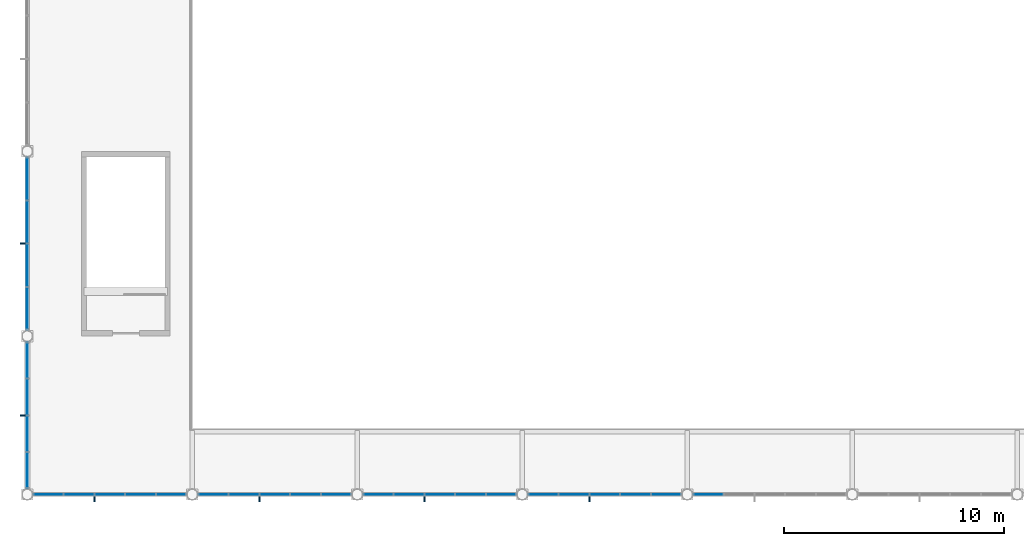
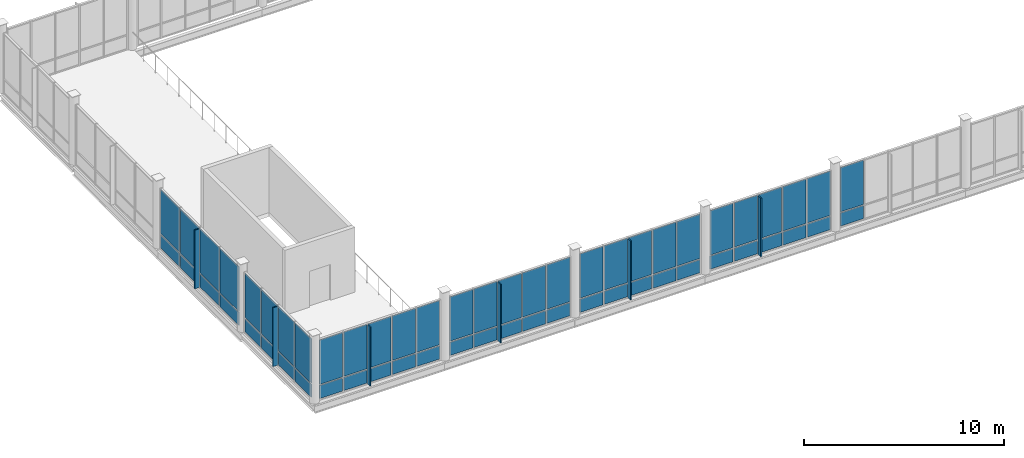
# One storey, part 39 of 75: 64 plates, 7 elements without a shape of their own.
"""IFC4 building model written with IfcOpenShell, lengths in metres."""

from ifc_helpers import new_model, si_unit, direction, frame, origin, origin_2d, place, context, subcontext, project, spatial, rectangle, extrude, material, layer, layer_set, type_object, element, aggregate, save


model = new_model("IFC4")

# Units and contexts
model_context = context("Model", 3, precision=1e-05, world=origin(), true_north=direction((0.0, 1.0)))
body_context = subcontext(model_context, "Body", "Model", "MODEL_VIEW")
ifc_project = project(units=[si_unit("LENGTHUNIT", "METRE"), si_unit("AREAUNIT", "SQUARE_METRE"), si_unit("VOLUMEUNIT", "CUBIC_METRE"), si_unit("PLANEANGLEUNIT", "RADIAN"), si_unit("MASSUNIT", "GRAM", prefix="KILO")], contexts=[model_context])

# Site, building, storey
site_placement = place(None, origin())
site = spatial("IfcSite", under=ifc_project, at=site_placement, CompositionType="ELEMENT")
building_placement = place(site_placement, origin())
building = spatial("IfcBuilding", under=site, at=building_placement, Name="Yukiwa Park Conservatory and Herbarium", CompositionType="ELEMENT")
storey_placement = place(building_placement, frame((0.0, 0.0, 4.800048828125)))
storey = spatial("IfcBuildingStorey", under=building, at=storey_placement, Name="L01", CompositionType="ELEMENT", Elevation=4.800048828125)

# Curtain wall, plates
ifc_material_1 = material(Name="Triple Low-E Insulated Glass", Category="glass")
ifc_layer_1 = layer(ifc_material_1, 0.152099609375)
ifc_layer_set_1 = layer_set([ifc_layer_1], Name="Triple Low-E Insulated Glass")
curtain_wall_type_1 = type_object("IfcCurtainWallType", Name="CW-CONSERVATORY-1500", PredefinedType="NOTDEFINED", material=ifc_layer_set_1)
curtain_wall_1_placement = place(storey_placement, origin())
curtain_wall_1 = element("IfcCurtainWall", 1, at=curtain_wall_1_placement, inside=storey, type_object=curtain_wall_type_1, Name="L01 unitised curtain wall CW-L01-026", PredefinedType="NOTDEFINED")
ifc_material_2 = material(Name="Triple Low-E Insulated Glass", Category="glass")
ifc_layer_2 = layer(ifc_material_2, 0.035888671875)
ifc_layer_set_2 = layer_set([ifc_layer_2], Name="Triple Low-E Insulated Glass")
plate_type_1 = type_object("IfcPlateType", Name="PL-CW-GLZ-36", PredefinedType="CURTAIN_PANEL", material=ifc_layer_set_2)
plate_1_placement = place(storey_placement, frame((0.953125, 0.0, 0.93505859375), z_axis=(0.0, 0.0, 1.0), x_axis=(1.0, 0.0, 0.0)))
plate_1 = element("IfcPlate", 2, at=plate_1_placement, type_object=plate_type_1, Name="CW-L01-026 vision panel 1.2", PredefinedType="CURTAIN_PANEL", context=body_context, shape_type="SweptSolid", body=[
    extrude(rectangle(XDim=1.328369140625, YDim=0.035888671875, at=origin_2d()), origin(), (0.0, 0.0, 1.0), 2.695068359375),
])
plate_2_placement = place(storey_placement, frame((2.3515625, 0.0, 0.93505859375), z_axis=(0.0, 0.0, 1.0), x_axis=(1.0, 0.0, 0.0)))
plate_2 = element("IfcPlate", 3, at=plate_2_placement, type_object=plate_type_1, Name="CW-L01-026 vision panel 2.2", PredefinedType="CURTAIN_PANEL", context=body_context, shape_type="SweptSolid", body=[
    extrude(rectangle(XDim=1.328369140625, YDim=0.035888671875, at=origin_2d()), origin(), (0.0, 0.0, 1.0), 2.695068359375),
])
plate_3_placement = place(storey_placement, frame((3.75, 0.0, 0.93505859375), z_axis=(0.0, 0.0, 1.0), x_axis=(1.0, 0.0, 0.0)))
plate_3 = element("IfcPlate", 4, at=plate_3_placement, type_object=plate_type_1, Name="CW-L01-026 vision panel 3.2", PredefinedType="CURTAIN_PANEL", context=body_context, shape_type="SweptSolid", body=[
    extrude(rectangle(XDim=1.328369140625, YDim=0.035888671875, at=origin_2d()), origin(), (0.0, 0.0, 1.0), 2.695068359375),
])
plate_4_placement = place(storey_placement, frame((5.1484375, 0.0, 0.93505859375), z_axis=(0.0, 0.0, 1.0), x_axis=(1.0, 0.0, 0.0)))
plate_4 = element("IfcPlate", 5, at=plate_4_placement, type_object=plate_type_1, Name="CW-L01-026 vision panel 4.2", PredefinedType="CURTAIN_PANEL", context=body_context, shape_type="SweptSolid", body=[
    extrude(rectangle(XDim=1.328369140625, YDim=0.035888671875, at=origin_2d()), origin(), (0.0, 0.0, 1.0), 2.695068359375),
])
plate_5_placement = place(storey_placement, frame((6.546875, 0.0, 0.93505859375), z_axis=(0.0, 0.0, 1.0), x_axis=(1.0, 0.0, 0.0)))
plate_5 = element("IfcPlate", 6, at=plate_5_placement, type_object=plate_type_1, Name="CW-L01-026 vision panel 5.2", PredefinedType="CURTAIN_PANEL", context=body_context, shape_type="SweptSolid", body=[
    extrude(rectangle(XDim=1.328369140625, YDim=0.035888671875, at=origin_2d()), origin(), (0.0, 0.0, 1.0), 2.695068359375),
])

curtain_wall_2_placement = place(storey_placement, origin())
curtain_wall_2 = element("IfcCurtainWall", 7, at=curtain_wall_2_placement, inside=storey, type_object=curtain_wall_type_1, Name="L01 unitised curtain wall CW-L01-027", PredefinedType="NOTDEFINED")
plate_6_placement = place(storey_placement, frame((8.453125, 0.0, 0.93505859375), z_axis=(0.0, 0.0, 1.0), x_axis=(1.0, 0.0, 0.0)))
plate_6 = element("IfcPlate", 8, at=plate_6_placement, type_object=plate_type_1, Name="CW-L01-027 vision panel 1.2", PredefinedType="CURTAIN_PANEL", context=body_context, shape_type="SweptSolid", body=[
    extrude(rectangle(XDim=1.328369140625, YDim=0.035888671875, at=origin_2d()), origin(), (0.0, 0.0, 1.0), 2.695068359375),
])
plate_7_placement = place(storey_placement, frame((9.8515625, 0.0, 0.93505859375), z_axis=(0.0, 0.0, 1.0), x_axis=(1.0, 0.0, 0.0)))
plate_7 = element("IfcPlate", 9, at=plate_7_placement, type_object=plate_type_1, Name="CW-L01-027 vision panel 2.2", PredefinedType="CURTAIN_PANEL", context=body_context, shape_type="SweptSolid", body=[
    extrude(rectangle(XDim=1.328369140625, YDim=0.035888671875, at=origin_2d()), origin(), (0.0, 0.0, 1.0), 2.695068359375),
])
plate_8_placement = place(storey_placement, frame((11.25, 0.0, 0.93505859375), z_axis=(0.0, 0.0, 1.0), x_axis=(1.0, 0.0, 0.0)))
plate_8 = element("IfcPlate", 10, at=plate_8_placement, type_object=plate_type_1, Name="CW-L01-027 vision panel 3.2", PredefinedType="CURTAIN_PANEL", context=body_context, shape_type="SweptSolid", body=[
    extrude(rectangle(XDim=1.328369140625, YDim=0.035888671875, at=origin_2d()), origin(), (0.0, 0.0, 1.0), 2.695068359375),
])
plate_9_placement = place(storey_placement, frame((12.6484375, 0.0, 0.93505859375), z_axis=(0.0, 0.0, 1.0), x_axis=(1.0, 0.0, 0.0)))
plate_9 = element("IfcPlate", 11, at=plate_9_placement, type_object=plate_type_1, Name="CW-L01-027 vision panel 4.2", PredefinedType="CURTAIN_PANEL", context=body_context, shape_type="SweptSolid", body=[
    extrude(rectangle(XDim=1.328369140625, YDim=0.035888671875, at=origin_2d()), origin(), (0.0, 0.0, 1.0), 2.695068359375),
])
plate_10_placement = place(storey_placement, frame((14.046875, 0.0, 0.93505859375), z_axis=(0.0, 0.0, 1.0), x_axis=(1.0, 0.0, 0.0)))
plate_10 = element("IfcPlate", 12, at=plate_10_placement, type_object=plate_type_1, Name="CW-L01-027 vision panel 5.2", PredefinedType="CURTAIN_PANEL", context=body_context, shape_type="SweptSolid", body=[
    extrude(rectangle(XDim=1.328369140625, YDim=0.035888671875, at=origin_2d()), origin(), (0.0, 0.0, 1.0), 2.695068359375),
])

curtain_wall_3_placement = place(storey_placement, origin())
curtain_wall_3 = element("IfcCurtainWall", 13, at=curtain_wall_3_placement, inside=storey, type_object=curtain_wall_type_1, Name="L01 unitised curtain wall CW-L01-028", PredefinedType="NOTDEFINED")
plate_11_placement = place(storey_placement, frame((15.953125, 0.0, 0.93505859375), z_axis=(0.0, 0.0, 1.0), x_axis=(1.0, 0.0, 0.0)))
plate_11 = element("IfcPlate", 14, at=plate_11_placement, type_object=plate_type_1, Name="CW-L01-028 vision panel 1.2", PredefinedType="CURTAIN_PANEL", context=body_context, shape_type="SweptSolid", body=[
    extrude(rectangle(XDim=1.328369140625, YDim=0.035888671875, at=origin_2d()), origin(), (0.0, 0.0, 1.0), 2.695068359375),
])
plate_12_placement = place(storey_placement, frame((17.3515625, 0.0, 0.93505859375), z_axis=(0.0, 0.0, 1.0), x_axis=(1.0, 0.0, 0.0)))
plate_12 = element("IfcPlate", 15, at=plate_12_placement, type_object=plate_type_1, Name="CW-L01-028 vision panel 2.2", PredefinedType="CURTAIN_PANEL", context=body_context, shape_type="SweptSolid", body=[
    extrude(rectangle(XDim=1.328369140625, YDim=0.035888671875, at=origin_2d()), origin(), (0.0, 0.0, 1.0), 2.695068359375),
])
plate_13_placement = place(storey_placement, frame((18.75, 0.0, 0.93505859375), z_axis=(0.0, 0.0, 1.0), x_axis=(1.0, 0.0, 0.0)))
plate_13 = element("IfcPlate", 16, at=plate_13_placement, type_object=plate_type_1, Name="CW-L01-028 vision panel 3.2", PredefinedType="CURTAIN_PANEL", context=body_context, shape_type="SweptSolid", body=[
    extrude(rectangle(XDim=1.328369140625, YDim=0.035888671875, at=origin_2d()), origin(), (0.0, 0.0, 1.0), 2.695068359375),
])
plate_14_placement = place(storey_placement, frame((20.1484375, 0.0, 0.93505859375), z_axis=(0.0, 0.0, 1.0), x_axis=(1.0, 0.0, 0.0)))
plate_14 = element("IfcPlate", 17, at=plate_14_placement, type_object=plate_type_1, Name="CW-L01-028 vision panel 4.2", PredefinedType="CURTAIN_PANEL", context=body_context, shape_type="SweptSolid", body=[
    extrude(rectangle(XDim=1.328369140625, YDim=0.035888671875, at=origin_2d()), origin(), (0.0, 0.0, 1.0), 2.695068359375),
])
plate_15_placement = place(storey_placement, frame((21.546875, 0.0, 0.93505859375), z_axis=(0.0, 0.0, 1.0), x_axis=(1.0, 0.0, 0.0)))
plate_15 = element("IfcPlate", 18, at=plate_15_placement, type_object=plate_type_1, Name="CW-L01-028 vision panel 5.2", PredefinedType="CURTAIN_PANEL", context=body_context, shape_type="SweptSolid", body=[
    extrude(rectangle(XDim=1.328369140625, YDim=0.035888671875, at=origin_2d()), origin(), (0.0, 0.0, 1.0), 2.695068359375),
])

curtain_wall_4_placement = place(storey_placement, origin())
curtain_wall_4 = element("IfcCurtainWall", 19, at=curtain_wall_4_placement, inside=storey, type_object=curtain_wall_type_1, Name="L01 unitised curtain wall CW-L01-029", PredefinedType="NOTDEFINED")
plate_16_placement = place(storey_placement, frame((23.453125, 0.0, 0.93505859375), z_axis=(0.0, 0.0, 1.0), x_axis=(1.0, 0.0, 0.0)))
plate_16 = element("IfcPlate", 20, at=plate_16_placement, type_object=plate_type_1, Name="CW-L01-029 vision panel 1.2", PredefinedType="CURTAIN_PANEL", context=body_context, shape_type="SweptSolid", body=[
    extrude(rectangle(XDim=1.328369140625, YDim=0.035888671875, at=origin_2d()), origin(), (0.0, 0.0, 1.0), 2.695068359375),
])
plate_17_placement = place(storey_placement, frame((24.8515625, 0.0, 0.93505859375), z_axis=(0.0, 0.0, 1.0), x_axis=(1.0, 0.0, 0.0)))
plate_17 = element("IfcPlate", 21, at=plate_17_placement, type_object=plate_type_1, Name="CW-L01-029 vision panel 2.2", PredefinedType="CURTAIN_PANEL", context=body_context, shape_type="SweptSolid", body=[
    extrude(rectangle(XDim=1.328369140625, YDim=0.035888671875, at=origin_2d()), origin(), (0.0, 0.0, 1.0), 2.695068359375),
])
plate_18_placement = place(storey_placement, frame((26.25, 0.0, 0.93505859375), z_axis=(0.0, 0.0, 1.0), x_axis=(1.0, 0.0, 0.0)))
plate_18 = element("IfcPlate", 22, at=plate_18_placement, type_object=plate_type_1, Name="CW-L01-029 vision panel 3.2", PredefinedType="CURTAIN_PANEL", context=body_context, shape_type="SweptSolid", body=[
    extrude(rectangle(XDim=1.328369140625, YDim=0.035888671875, at=origin_2d()), origin(), (0.0, 0.0, 1.0), 2.695068359375),
])
plate_19_placement = place(storey_placement, frame((27.6484375, 0.0, 0.93505859375), z_axis=(0.0, 0.0, 1.0), x_axis=(1.0, 0.0, 0.0)))
plate_19 = element("IfcPlate", 23, at=plate_19_placement, type_object=plate_type_1, Name="CW-L01-029 vision panel 4.2", PredefinedType="CURTAIN_PANEL", context=body_context, shape_type="SweptSolid", body=[
    extrude(rectangle(XDim=1.328369140625, YDim=0.035888671875, at=origin_2d()), origin(), (0.0, 0.0, 1.0), 2.695068359375),
])
plate_20_placement = place(storey_placement, frame((29.046875, 0.0, 0.93505859375), z_axis=(0.0, 0.0, 1.0), x_axis=(1.0, 0.0, 0.0)))
plate_20 = element("IfcPlate", 24, at=plate_20_placement, type_object=plate_type_1, Name="CW-L01-029 vision panel 5.2", PredefinedType="CURTAIN_PANEL", context=body_context, shape_type="SweptSolid", body=[
    extrude(rectangle(XDim=1.328369140625, YDim=0.035888671875, at=origin_2d()), origin(), (0.0, 0.0, 1.0), 2.695068359375),
])

# Curtain wall, plate
curtain_wall_5_placement = place(storey_placement, origin())
curtain_wall_5 = element("IfcCurtainWall", 25, at=curtain_wall_5_placement, inside=storey, type_object=curtain_wall_type_1, Name="L01 unitised curtain wall CW-L01-030", PredefinedType="NOTDEFINED")
plate_21_placement = place(storey_placement, frame((30.953125, 0.0, 0.93505859375), z_axis=(0.0, 0.0, 1.0), x_axis=(1.0, 0.0, 0.0)))
plate_21 = element("IfcPlate", 26, at=plate_21_placement, type_object=plate_type_1, Name="CW-L01-030 vision panel 1.2", PredefinedType="CURTAIN_PANEL", context=body_context, shape_type="SweptSolid", body=[
    extrude(rectangle(XDim=1.328369140625, YDim=0.035888671875, at=origin_2d()), origin(), (0.0, 0.0, 1.0), 2.695068359375),
])

# Curtain wall, plates
ifc_material_3 = material(Name="Triple Low-E Insulated Glass", Category="glass")
ifc_layer_3 = layer(ifc_material_3, 0.1640625)
ifc_layer_set_3 = layer_set([ifc_layer_3], Name="Triple Low-E Insulated Glass")
curtain_wall_type_2 = type_object("IfcCurtainWallType", Name="CW-CONSERVATORY-1875", PredefinedType="NOTDEFINED", material=ifc_layer_set_3)
curtain_wall_6_placement = place(storey_placement, origin())
curtain_wall_6 = element("IfcCurtainWall", 27, at=curtain_wall_6_placement, inside=storey, type_object=curtain_wall_type_2, Name="L01 unitised curtain wall CW-L01-060", PredefinedType="NOTDEFINED")
plate_22_placement = place(storey_placement, frame((0.0, 14.359619140625, 0.93505859375), z_axis=(0.0, 0.0, 1.0), x_axis=(0.0, -1.0, 0.0)))
plate_22 = element("IfcPlate", 28, at=plate_22_placement, type_object=plate_type_1, Name="CW-L01-060 vision panel 1.2", PredefinedType="CURTAIN_PANEL", context=body_context, shape_type="SweptSolid", body=[
    extrude(rectangle(XDim=1.903076171875, YDim=0.035888671875, at=origin_2d()), origin(), (0.0, 0.0, 1.0), 2.695068359375),
])
plate_23_placement = place(storey_placement, frame((0.0, 12.386474609375, 0.93505859375), z_axis=(0.0, 0.0, 1.0), x_axis=(0.0, -1.0, 0.0)))
plate_23 = element("IfcPlate", 29, at=plate_23_placement, type_object=plate_type_1, Name="CW-L01-060 vision panel 2.2", PredefinedType="CURTAIN_PANEL", context=body_context, shape_type="SweptSolid", body=[
    extrude(rectangle(XDim=1.903076171875, YDim=0.035888671875, at=origin_2d()), origin(), (0.0, 0.0, 1.0), 2.695068359375),
])
plate_24_placement = place(storey_placement, frame((0.0, 10.41357421875, 0.93505859375), z_axis=(0.0, 0.0, 1.0), x_axis=(0.0, -1.0, 0.0)))
plate_24 = element("IfcPlate", 30, at=plate_24_placement, type_object=plate_type_1, Name="CW-L01-060 vision panel 3.2", PredefinedType="CURTAIN_PANEL", context=body_context, shape_type="SweptSolid", body=[
    extrude(rectangle(XDim=1.903076171875, YDim=0.035888671875, at=origin_2d()), origin(), (0.0, 0.0, 1.0), 2.695068359375),
])
plate_25_placement = place(storey_placement, frame((0.0, 8.4404296875, 0.93505859375), z_axis=(0.0, 0.0, 1.0), x_axis=(0.0, -1.0, 0.0)))
plate_25 = element("IfcPlate", 31, at=plate_25_placement, type_object=plate_type_1, Name="CW-L01-060 vision panel 4.2", PredefinedType="CURTAIN_PANEL", context=body_context, shape_type="SweptSolid", body=[
    extrude(rectangle(XDim=1.903076171875, YDim=0.035888671875, at=origin_2d()), origin(), (0.0, 0.0, 1.0), 2.695068359375),
])

curtain_wall_7_placement = place(storey_placement, origin())
curtain_wall_7 = element("IfcCurtainWall", 32, at=curtain_wall_7_placement, inside=storey, type_object=curtain_wall_type_2, Name="L01 unitised curtain wall CW-L01-061", PredefinedType="NOTDEFINED")
plate_26_placement = place(storey_placement, frame((0.0, 6.109619140625, 0.93505859375), z_axis=(0.0, 0.0, 1.0), x_axis=(0.0, -1.0, 0.0)))
plate_26 = element("IfcPlate", 33, at=plate_26_placement, type_object=plate_type_1, Name="CW-L01-061 vision panel 1.2", PredefinedType="CURTAIN_PANEL", context=body_context, shape_type="SweptSolid", body=[
    extrude(rectangle(XDim=1.60302734375, YDim=0.035888671875, at=origin_2d()), origin(), (0.0, 0.0, 1.0), 2.695068359375),
])
plate_27_placement = place(storey_placement, frame((0.0, 4.4365234375, 0.93505859375), z_axis=(0.0, 0.0, 1.0), x_axis=(0.0, -1.0, 0.0)))
plate_27 = element("IfcPlate", 34, at=plate_27_placement, type_object=plate_type_1, Name="CW-L01-061 vision panel 2.2", PredefinedType="CURTAIN_PANEL", context=body_context, shape_type="SweptSolid", body=[
    extrude(rectangle(XDim=1.60302734375, YDim=0.035888671875, at=origin_2d()), origin(), (0.0, 0.0, 1.0), 2.695068359375),
])
plate_28_placement = place(storey_placement, frame((0.0, 2.763427734375, 0.93505859375), z_axis=(0.0, 0.0, 1.0), x_axis=(0.0, -1.0, 0.0)))
plate_28 = element("IfcPlate", 35, at=plate_28_placement, type_object=plate_type_1, Name="CW-L01-061 vision panel 3.2", PredefinedType="CURTAIN_PANEL", context=body_context, shape_type="SweptSolid", body=[
    extrude(rectangle(XDim=1.60302734375, YDim=0.035888671875, at=origin_2d()), origin(), (0.0, 0.0, 1.0), 2.695068359375),
])
plate_29_placement = place(storey_placement, frame((0.0, 1.090576171875, 0.93505859375), z_axis=(0.0, 0.0, 1.0), x_axis=(0.0, -1.0, 0.0)))
plate_29 = element("IfcPlate", 36, at=plate_29_placement, type_object=plate_type_1, Name="CW-L01-061 vision panel 4.2", PredefinedType="CURTAIN_PANEL", context=body_context, shape_type="SweptSolid", body=[
    extrude(rectangle(XDim=1.60302734375, YDim=0.035888671875, at=origin_2d()), origin(), (0.0, 0.0, 1.0), 2.695068359375),
])

# Plate
ifc_material_4 = material(Name="Anodised Aluminium", Category="aluminium")
ifc_layer_4 = layer(ifc_material_4, 0.044921875)
ifc_layer_set_4 = layer_set([ifc_layer_4], Name="Anodised Aluminium")
plate_type_2 = type_object("IfcPlateType", Name="PL-CW-SPN-45", PredefinedType="CURTAIN_PANEL", material=ifc_layer_set_4)
plate_30_placement = place(storey_placement, frame((0.953125, 0.0, 0.070068359375), z_axis=(0.0, 0.0, 1.0), x_axis=(1.0, 0.0, 0.0)))
plate_30 = element("IfcPlate", 37, at=plate_30_placement, type_object=plate_type_2, Name="CW-L01-026 spandrel panel 1.1", PredefinedType="CURTAIN_PANEL", context=body_context, shape_type="SweptSolid", body=[
    extrude(rectangle(XDim=1.328369140625, YDim=0.044921875, at=origin_2d()), origin(), (0.0, 0.0, 1.0), 0.794921875),
])

plate_31_placement = place(storey_placement, frame((2.3515625, 0.0, 0.070068359375), z_axis=(0.0, 0.0, 1.0), x_axis=(1.0, 0.0, 0.0)))
plate_31 = element("IfcPlate", 38, at=plate_31_placement, type_object=plate_type_2, Name="CW-L01-026 spandrel panel 2.1", PredefinedType="CURTAIN_PANEL", context=body_context, shape_type="SweptSolid", body=[
    extrude(rectangle(XDim=1.328369140625, YDim=0.044921875, at=origin_2d()), origin(), (0.0, 0.0, 1.0), 0.794921875),
])

plate_32_placement = place(storey_placement, frame((3.75, 0.0, 0.070068359375), z_axis=(0.0, 0.0, 1.0), x_axis=(1.0, 0.0, 0.0)))
plate_32 = element("IfcPlate", 39, at=plate_32_placement, type_object=plate_type_2, Name="CW-L01-026 spandrel panel 3.1", PredefinedType="CURTAIN_PANEL", context=body_context, shape_type="SweptSolid", body=[
    extrude(rectangle(XDim=1.328369140625, YDim=0.044921875, at=origin_2d()), origin(), (0.0, 0.0, 1.0), 0.794921875),
])

plate_33_placement = place(storey_placement, frame((5.1484375, 0.0, 0.070068359375), z_axis=(0.0, 0.0, 1.0), x_axis=(1.0, 0.0, 0.0)))
plate_33 = element("IfcPlate", 40, at=plate_33_placement, type_object=plate_type_2, Name="CW-L01-026 spandrel panel 4.1", PredefinedType="CURTAIN_PANEL", context=body_context, shape_type="SweptSolid", body=[
    extrude(rectangle(XDim=1.328369140625, YDim=0.044921875, at=origin_2d()), origin(), (0.0, 0.0, 1.0), 0.794921875),
])

plate_34_placement = place(storey_placement, frame((6.546875, 0.0, 0.070068359375), z_axis=(0.0, 0.0, 1.0), x_axis=(1.0, 0.0, 0.0)))
plate_34 = element("IfcPlate", 41, at=plate_34_placement, type_object=plate_type_2, Name="CW-L01-026 spandrel panel 5.1", PredefinedType="CURTAIN_PANEL", context=body_context, shape_type="SweptSolid", body=[
    extrude(rectangle(XDim=1.328369140625, YDim=0.044921875, at=origin_2d()), origin(), (0.0, 0.0, 1.0), 0.794921875),
])

aggregate(curtain_wall_1, [plate_30, plate_1, plate_31, plate_2, plate_32, plate_3, plate_33, plate_4, plate_34, plate_5])

plate_35_placement = place(storey_placement, frame((8.453125, 0.0, 0.070068359375), z_axis=(0.0, 0.0, 1.0), x_axis=(1.0, 0.0, 0.0)))
plate_35 = element("IfcPlate", 42, at=plate_35_placement, type_object=plate_type_2, Name="CW-L01-027 spandrel panel 1.1", PredefinedType="CURTAIN_PANEL", context=body_context, shape_type="SweptSolid", body=[
    extrude(rectangle(XDim=1.328369140625, YDim=0.044921875, at=origin_2d()), origin(), (0.0, 0.0, 1.0), 0.794921875),
])

plate_36_placement = place(storey_placement, frame((9.8515625, 0.0, 0.070068359375), z_axis=(0.0, 0.0, 1.0), x_axis=(1.0, 0.0, 0.0)))
plate_36 = element("IfcPlate", 43, at=plate_36_placement, type_object=plate_type_2, Name="CW-L01-027 spandrel panel 2.1", PredefinedType="CURTAIN_PANEL", context=body_context, shape_type="SweptSolid", body=[
    extrude(rectangle(XDim=1.328369140625, YDim=0.044921875, at=origin_2d()), origin(), (0.0, 0.0, 1.0), 0.794921875),
])

plate_37_placement = place(storey_placement, frame((11.25, 0.0, 0.070068359375), z_axis=(0.0, 0.0, 1.0), x_axis=(1.0, 0.0, 0.0)))
plate_37 = element("IfcPlate", 44, at=plate_37_placement, type_object=plate_type_2, Name="CW-L01-027 spandrel panel 3.1", PredefinedType="CURTAIN_PANEL", context=body_context, shape_type="SweptSolid", body=[
    extrude(rectangle(XDim=1.328369140625, YDim=0.044921875, at=origin_2d()), origin(), (0.0, 0.0, 1.0), 0.794921875),
])

plate_38_placement = place(storey_placement, frame((12.6484375, 0.0, 0.070068359375), z_axis=(0.0, 0.0, 1.0), x_axis=(1.0, 0.0, 0.0)))
plate_38 = element("IfcPlate", 45, at=plate_38_placement, type_object=plate_type_2, Name="CW-L01-027 spandrel panel 4.1", PredefinedType="CURTAIN_PANEL", context=body_context, shape_type="SweptSolid", body=[
    extrude(rectangle(XDim=1.328369140625, YDim=0.044921875, at=origin_2d()), origin(), (0.0, 0.0, 1.0), 0.794921875),
])

plate_39_placement = place(storey_placement, frame((14.046875, 0.0, 0.070068359375), z_axis=(0.0, 0.0, 1.0), x_axis=(1.0, 0.0, 0.0)))
plate_39 = element("IfcPlate", 46, at=plate_39_placement, type_object=plate_type_2, Name="CW-L01-027 spandrel panel 5.1", PredefinedType="CURTAIN_PANEL", context=body_context, shape_type="SweptSolid", body=[
    extrude(rectangle(XDim=1.328369140625, YDim=0.044921875, at=origin_2d()), origin(), (0.0, 0.0, 1.0), 0.794921875),
])

aggregate(curtain_wall_2, [plate_35, plate_6, plate_36, plate_7, plate_37, plate_8, plate_38, plate_9, plate_39, plate_10])

plate_40_placement = place(storey_placement, frame((15.953125, 0.0, 0.070068359375), z_axis=(0.0, 0.0, 1.0), x_axis=(1.0, 0.0, 0.0)))
plate_40 = element("IfcPlate", 47, at=plate_40_placement, type_object=plate_type_2, Name="CW-L01-028 spandrel panel 1.1", PredefinedType="CURTAIN_PANEL", context=body_context, shape_type="SweptSolid", body=[
    extrude(rectangle(XDim=1.328369140625, YDim=0.044921875, at=origin_2d()), origin(), (0.0, 0.0, 1.0), 0.794921875),
])

plate_41_placement = place(storey_placement, frame((17.3515625, 0.0, 0.070068359375), z_axis=(0.0, 0.0, 1.0), x_axis=(1.0, 0.0, 0.0)))
plate_41 = element("IfcPlate", 48, at=plate_41_placement, type_object=plate_type_2, Name="CW-L01-028 spandrel panel 2.1", PredefinedType="CURTAIN_PANEL", context=body_context, shape_type="SweptSolid", body=[
    extrude(rectangle(XDim=1.328369140625, YDim=0.044921875, at=origin_2d()), origin(), (0.0, 0.0, 1.0), 0.794921875),
])

plate_42_placement = place(storey_placement, frame((18.75, 0.0, 0.070068359375), z_axis=(0.0, 0.0, 1.0), x_axis=(1.0, 0.0, 0.0)))
plate_42 = element("IfcPlate", 49, at=plate_42_placement, type_object=plate_type_2, Name="CW-L01-028 spandrel panel 3.1", PredefinedType="CURTAIN_PANEL", context=body_context, shape_type="SweptSolid", body=[
    extrude(rectangle(XDim=1.328369140625, YDim=0.044921875, at=origin_2d()), origin(), (0.0, 0.0, 1.0), 0.794921875),
])

plate_43_placement = place(storey_placement, frame((20.1484375, 0.0, 0.070068359375), z_axis=(0.0, 0.0, 1.0), x_axis=(1.0, 0.0, 0.0)))
plate_43 = element("IfcPlate", 50, at=plate_43_placement, type_object=plate_type_2, Name="CW-L01-028 spandrel panel 4.1", PredefinedType="CURTAIN_PANEL", context=body_context, shape_type="SweptSolid", body=[
    extrude(rectangle(XDim=1.328369140625, YDim=0.044921875, at=origin_2d()), origin(), (0.0, 0.0, 1.0), 0.794921875),
])

plate_44_placement = place(storey_placement, frame((21.546875, 0.0, 0.070068359375), z_axis=(0.0, 0.0, 1.0), x_axis=(1.0, 0.0, 0.0)))
plate_44 = element("IfcPlate", 51, at=plate_44_placement, type_object=plate_type_2, Name="CW-L01-028 spandrel panel 5.1", PredefinedType="CURTAIN_PANEL", context=body_context, shape_type="SweptSolid", body=[
    extrude(rectangle(XDim=1.328369140625, YDim=0.044921875, at=origin_2d()), origin(), (0.0, 0.0, 1.0), 0.794921875),
])

aggregate(curtain_wall_3, [plate_40, plate_11, plate_41, plate_12, plate_42, plate_13, plate_43, plate_14, plate_44, plate_15])

plate_45_placement = place(storey_placement, frame((23.453125, 0.0, 0.070068359375), z_axis=(0.0, 0.0, 1.0), x_axis=(1.0, 0.0, 0.0)))
plate_45 = element("IfcPlate", 52, at=plate_45_placement, type_object=plate_type_2, Name="CW-L01-029 spandrel panel 1.1", PredefinedType="CURTAIN_PANEL", context=body_context, shape_type="SweptSolid", body=[
    extrude(rectangle(XDim=1.328369140625, YDim=0.044921875, at=origin_2d()), origin(), (0.0, 0.0, 1.0), 0.794921875),
])

plate_46_placement = place(storey_placement, frame((24.8515625, 0.0, 0.070068359375), z_axis=(0.0, 0.0, 1.0), x_axis=(1.0, 0.0, 0.0)))
plate_46 = element("IfcPlate", 53, at=plate_46_placement, type_object=plate_type_2, Name="CW-L01-029 spandrel panel 2.1", PredefinedType="CURTAIN_PANEL", context=body_context, shape_type="SweptSolid", body=[
    extrude(rectangle(XDim=1.328369140625, YDim=0.044921875, at=origin_2d()), origin(), (0.0, 0.0, 1.0), 0.794921875),
])

plate_47_placement = place(storey_placement, frame((26.25, 0.0, 0.070068359375), z_axis=(0.0, 0.0, 1.0), x_axis=(1.0, 0.0, 0.0)))
plate_47 = element("IfcPlate", 54, at=plate_47_placement, type_object=plate_type_2, Name="CW-L01-029 spandrel panel 3.1", PredefinedType="CURTAIN_PANEL", context=body_context, shape_type="SweptSolid", body=[
    extrude(rectangle(XDim=1.328369140625, YDim=0.044921875, at=origin_2d()), origin(), (0.0, 0.0, 1.0), 0.794921875),
])

plate_48_placement = place(storey_placement, frame((27.6484375, 0.0, 0.070068359375), z_axis=(0.0, 0.0, 1.0), x_axis=(1.0, 0.0, 0.0)))
plate_48 = element("IfcPlate", 55, at=plate_48_placement, type_object=plate_type_2, Name="CW-L01-029 spandrel panel 4.1", PredefinedType="CURTAIN_PANEL", context=body_context, shape_type="SweptSolid", body=[
    extrude(rectangle(XDim=1.328369140625, YDim=0.044921875, at=origin_2d()), origin(), (0.0, 0.0, 1.0), 0.794921875),
])

plate_49_placement = place(storey_placement, frame((29.046875, 0.0, 0.070068359375), z_axis=(0.0, 0.0, 1.0), x_axis=(1.0, 0.0, 0.0)))
plate_49 = element("IfcPlate", 56, at=plate_49_placement, type_object=plate_type_2, Name="CW-L01-029 spandrel panel 5.1", PredefinedType="CURTAIN_PANEL", context=body_context, shape_type="SweptSolid", body=[
    extrude(rectangle(XDim=1.328369140625, YDim=0.044921875, at=origin_2d()), origin(), (0.0, 0.0, 1.0), 0.794921875),
])

aggregate(curtain_wall_4, [plate_45, plate_16, plate_46, plate_17, plate_47, plate_18, plate_48, plate_19, plate_49, plate_20])

plate_50_placement = place(storey_placement, frame((30.953125, 0.0, 0.070068359375), z_axis=(0.0, 0.0, 1.0), x_axis=(1.0, 0.0, 0.0)))
plate_50 = element("IfcPlate", 57, at=plate_50_placement, type_object=plate_type_2, Name="CW-L01-030 spandrel panel 1.1", PredefinedType="CURTAIN_PANEL", context=body_context, shape_type="SweptSolid", body=[
    extrude(rectangle(XDim=1.328369140625, YDim=0.044921875, at=origin_2d()), origin(), (0.0, 0.0, 1.0), 0.794921875),
])

aggregate(curtain_wall_5, [plate_50, plate_21])

plate_51_placement = place(storey_placement, frame((0.0, 14.359619140625, 0.070068359375), z_axis=(0.0, 0.0, 1.0), x_axis=(0.0, -1.0, 0.0)))
plate_51 = element("IfcPlate", 58, at=plate_51_placement, type_object=plate_type_2, Name="CW-L01-060 spandrel panel 1.1", PredefinedType="CURTAIN_PANEL", context=body_context, shape_type="SweptSolid", body=[
    extrude(rectangle(XDim=1.903076171875, YDim=0.044921875, at=origin_2d()), origin(), (0.0, 0.0, 1.0), 0.794921875),
])

plate_52_placement = place(storey_placement, frame((0.0, 12.386474609375, 0.070068359375), z_axis=(0.0, 0.0, 1.0), x_axis=(0.0, -1.0, 0.0)))
plate_52 = element("IfcPlate", 59, at=plate_52_placement, type_object=plate_type_2, Name="CW-L01-060 spandrel panel 2.1", PredefinedType="CURTAIN_PANEL", context=body_context, shape_type="SweptSolid", body=[
    extrude(rectangle(XDim=1.903076171875, YDim=0.044921875, at=origin_2d()), origin(), (0.0, 0.0, 1.0), 0.794921875),
])

plate_53_placement = place(storey_placement, frame((0.0, 10.41357421875, 0.070068359375), z_axis=(0.0, 0.0, 1.0), x_axis=(0.0, -1.0, 0.0)))
plate_53 = element("IfcPlate", 60, at=plate_53_placement, type_object=plate_type_2, Name="CW-L01-060 spandrel panel 3.1", PredefinedType="CURTAIN_PANEL", context=body_context, shape_type="SweptSolid", body=[
    extrude(rectangle(XDim=1.903076171875, YDim=0.044921875, at=origin_2d()), origin(), (0.0, 0.0, 1.0), 0.794921875),
])

plate_54_placement = place(storey_placement, frame((0.0, 8.4404296875, 0.070068359375), z_axis=(0.0, 0.0, 1.0), x_axis=(0.0, -1.0, 0.0)))
plate_54 = element("IfcPlate", 61, at=plate_54_placement, type_object=plate_type_2, Name="CW-L01-060 spandrel panel 4.1", PredefinedType="CURTAIN_PANEL", context=body_context, shape_type="SweptSolid", body=[
    extrude(rectangle(XDim=1.903076171875, YDim=0.044921875, at=origin_2d()), origin(), (0.0, 0.0, 1.0), 0.794921875),
])

aggregate(curtain_wall_6, [plate_51, plate_22, plate_52, plate_23, plate_53, plate_24, plate_54, plate_25])

plate_55_placement = place(storey_placement, frame((0.0, 6.109619140625, 0.070068359375), z_axis=(0.0, 0.0, 1.0), x_axis=(0.0, -1.0, 0.0)))
plate_55 = element("IfcPlate", 62, at=plate_55_placement, type_object=plate_type_2, Name="CW-L01-061 spandrel panel 1.1", PredefinedType="CURTAIN_PANEL", context=body_context, shape_type="SweptSolid", body=[
    extrude(rectangle(XDim=1.60302734375, YDim=0.044921875, at=origin_2d()), origin(), (0.0, 0.0, 1.0), 0.794921875),
])

plate_56_placement = place(storey_placement, frame((0.0, 4.4365234375, 0.070068359375), z_axis=(0.0, 0.0, 1.0), x_axis=(0.0, -1.0, 0.0)))
plate_56 = element("IfcPlate", 63, at=plate_56_placement, type_object=plate_type_2, Name="CW-L01-061 spandrel panel 2.1", PredefinedType="CURTAIN_PANEL", context=body_context, shape_type="SweptSolid", body=[
    extrude(rectangle(XDim=1.60302734375, YDim=0.044921875, at=origin_2d()), origin(), (0.0, 0.0, 1.0), 0.794921875),
])

plate_57_placement = place(storey_placement, frame((0.0, 2.763427734375, 0.070068359375), z_axis=(0.0, 0.0, 1.0), x_axis=(0.0, -1.0, 0.0)))
plate_57 = element("IfcPlate", 64, at=plate_57_placement, type_object=plate_type_2, Name="CW-L01-061 spandrel panel 3.1", PredefinedType="CURTAIN_PANEL", context=body_context, shape_type="SweptSolid", body=[
    extrude(rectangle(XDim=1.60302734375, YDim=0.044921875, at=origin_2d()), origin(), (0.0, 0.0, 1.0), 0.794921875),
])

plate_58_placement = place(storey_placement, frame((0.0, 1.090576171875, 0.070068359375), z_axis=(0.0, 0.0, 1.0), x_axis=(0.0, -1.0, 0.0)))
plate_58 = element("IfcPlate", 65, at=plate_58_placement, type_object=plate_type_2, Name="CW-L01-061 spandrel panel 4.1", PredefinedType="CURTAIN_PANEL", context=body_context, shape_type="SweptSolid", body=[
    extrude(rectangle(XDim=1.60302734375, YDim=0.044921875, at=origin_2d()), origin(), (0.0, 0.0, 1.0), 0.794921875),
])

aggregate(curtain_wall_7, [plate_55, plate_26, plate_56, plate_27, plate_57, plate_28, plate_58, plate_29])

# Plates
ifc_material_5 = material(Name="Charred Larch Cladding", Category="wood")
ifc_layer_5 = layer(ifc_material_5, 0.06494140625)
ifc_layer_set_5 = layer_set([ifc_layer_5], Name="Charred Larch Cladding")
plate_type_3 = type_object("IfcPlateType", Name="PL-FIN-LARCH-65", PredefinedType="USERDEFINED", material=ifc_layer_set_5)
for number, where, z_axis, x_axis, name in (
    (66, (3.05078125, -0.18994140625, 0.059814453125), (0.0, 0.0, 1.0), (1.0, 0.0, 0.0), "CW-L01-026 exterior vertical shading fin"),
    (67, (10.55078125, -0.18994140625, 0.059814453125), (0.0, 0.0, 1.0), (1.0, 0.0, 0.0), "CW-L01-027 exterior vertical shading fin"),
    (68, (18.05078125, -0.18994140625, 0.059814453125), (0.0, 0.0, 1.0), (1.0, 0.0, 0.0), "CW-L01-028 exterior vertical shading fin"),
    (69, (25.55078125, -0.18994140625, 0.059814453125), (0.0, 0.0, 1.0), (1.0, 0.0, 0.0), "CW-L01-029 exterior vertical shading fin"),
    (70, (-0.18994140625, 11.39990234375, 0.059814453125), (0.0, 0.0, 1.0), (0.0, -1.0, 0.0), "CW-L01-060 exterior vertical shading fin"),
    (71, (-0.18994140625, 3.60009765625, 0.059814453125), (0.0, 0.0, 1.0), (0.0, -1.0, 0.0), "CW-L01-061 exterior vertical shading fin"),
):
    element("IfcPlate", number, at=place(storey_placement, frame(where, z_axis=z_axis, x_axis=x_axis)), inside=storey, type_object=plate_type_3, Name=name, ObjectType="SHADING FIN", PredefinedType="USERDEFINED", context=body_context, shape_type="SweptSolid", body=[
        extrude(rectangle(XDim=0.06494140625, YDim=0.280029296875, at=origin_2d()), origin(), (0.0, 0.0, 1.0), 3.580078125),
    ])

save(model, "model.ifc")
